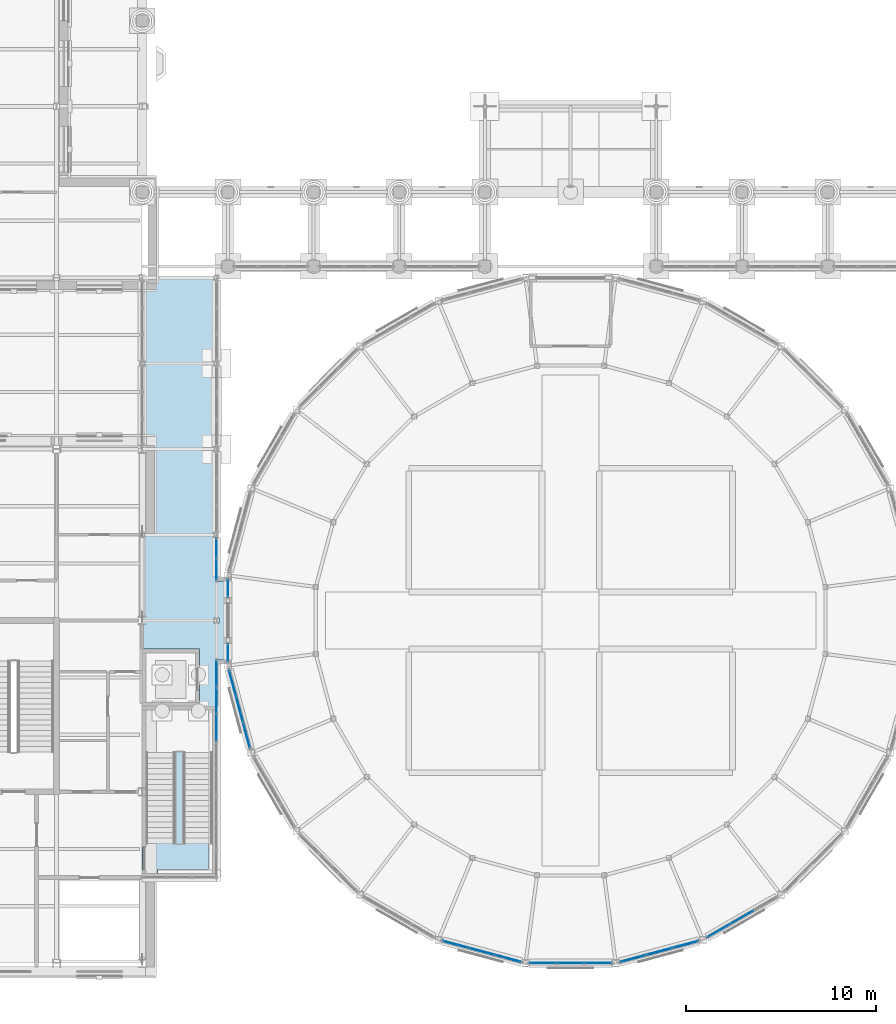
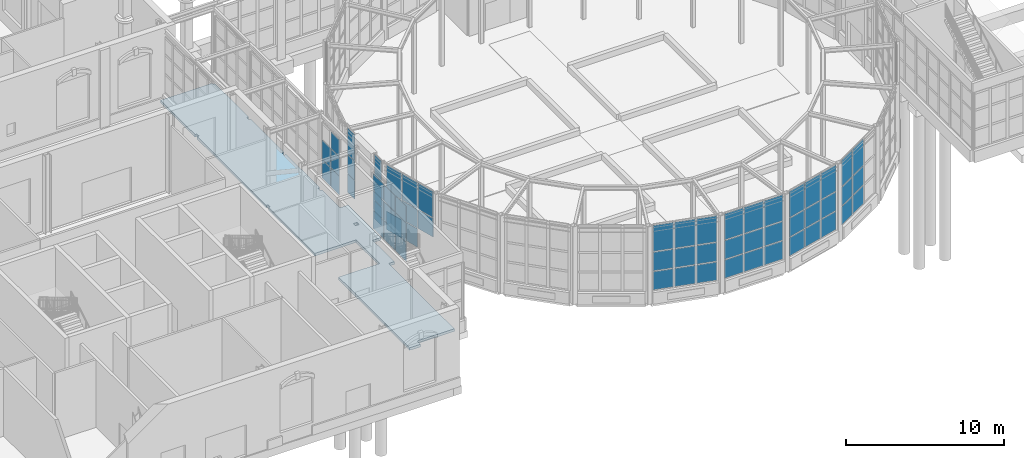
# One storey, part 57 of 106: 61 plates, 1 slab, 9 elements without a shape of their own.
"""IFC4 building model written with IfcOpenShell, lengths in metres."""

from ifc_helpers import new_model, si_unit, direction, frame, origin, origin_2d, place, context, subcontext, project, spatial, polyline, rectangle, outline, extrude, material, layer, layer_set, type_object, element, aggregate, save


model = new_model("IFC4")

# Units and contexts
model_context = context("Model", 3, precision=1e-05, world=origin(), true_north=direction((0.0, 1.0)))
body_context = subcontext(model_context, "Body", "Model", "MODEL_VIEW")
ifc_project = project(units=[si_unit("LENGTHUNIT", "METRE"), si_unit("AREAUNIT", "SQUARE_METRE"), si_unit("VOLUMEUNIT", "CUBIC_METRE"), si_unit("PLANEANGLEUNIT", "RADIAN"), si_unit("MASSUNIT", "GRAM", prefix="KILO")], contexts=[model_context])

# Site, building, storey
site_placement = place(None, origin())
site = spatial("IfcSite", under=ifc_project, at=site_placement, CompositionType="ELEMENT")
building_placement = place(site_placement, origin())
building = spatial("IfcBuilding", under=site, at=building_placement, Name="Hortulan Conservatory and Botanical Research Centre", CompositionType="ELEMENT")
storey_placement = place(building_placement, origin())
storey = spatial("IfcBuildingStorey", under=building, at=storey_placement, Name="L00", CompositionType="ELEMENT", Elevation=0.0)

# Slab
ifc_material_1 = material(Name="Concrete N40 (40 MPa, AS 3600)", Category="concrete")
ifc_layer_1 = layer(ifc_material_1, 0.199951171875)
ifc_layer_set_1 = layer_set([ifc_layer_1], Name="Head Link Ground Slab 200")
slab_type = type_object("IfcSlabType", Name="Head Link Ground Slab 200", PredefinedType="BASESLAB", material=ifc_layer_set_1)
slab_placement = place(storey_placement, frame((0.0, 0.0, -0.199951171875)))
element("IfcSlab", 1, at=slab_placement, inside=storey, type_object=slab_type, Name="HW ground slab 1", PredefinedType="BASESLAB", context=body_context, shape_type="SweptSolid", body=[
    extrude(outline(polyline([(35.39990234375, 13.2099609375), (35.0, 13.2099609375), (34.9990234375, 13.2099609375), (34.998046875, 13.209716796875), (34.9970703125, 13.209716796875), (34.99609375, 13.209228515625), (34.995361328125, 13.208740234375), (34.994384765625, 13.208251953125), (34.99365234375, 13.207763671875), (34.992919921875, 13.20703125), (34.9921875, 13.206298828125), (34.99169921875, 13.20556640625), (34.9912109375, 13.20458984375), (34.99072265625, 13.203857421875), (34.990478515625, 13.202880859375), (34.990234375, 13.201904296875), (34.989990234375, 13.200927734375), (34.989990234375, 13.199951171875), (34.989990234375, 4.909912109375), (32.300048828125, 4.909912109375), (32.299072265625, 4.909912109375), (32.298095703125, 4.909912109375), (32.297119140625, 4.90966796875), (32.296142578125, 4.9091796875), (32.29541015625, 4.90869140625), (32.29443359375, 4.908203125), (32.293701171875, 4.90771484375), (32.29296875, 4.906982421875), (32.292236328125, 4.90625), (32.291748046875, 4.905517578125), (32.291259765625, 4.90478515625), (32.290771484375, 4.90380859375), (32.290283203125, 4.90283203125), (32.290283203125, 4.902099609375), (32.2900390625, 4.90087890625), (32.2900390625, 4.89990234375), (32.2900390625, 4.5), (31.5, 4.5), (31.5, 13.5), (34.5, 13.5), (34.5, 16.5), (31.5, 16.5), (31.5, 22.364990234375), (31.635009765625, 22.364990234375), (31.635009765625, 22.635009765625), (31.5, 22.635009765625), (31.5, 31.364990234375), (31.635009765625, 31.364990234375), (31.635009765625, 31.635009765625), (31.5, 31.635009765625), (31.5, 36.0), (35.264892578125, 36.0), (35.264892578125, 35.864990234375), (35.39990234375, 35.864990234375), (35.39990234375, 31.635009765625), (35.264892578125, 31.635009765625), (35.264892578125, 31.364990234375), (35.39990234375, 31.364990234375), (35.39990234375, 27.135009765625), (35.264892578125, 27.135009765625), (35.264892578125, 26.864990234375), (35.39990234375, 26.864990234375), (35.39990234375, 22.635009765625), (35.264892578125, 22.635009765625), (35.264892578125, 22.364990234375), (35.39990234375, 22.364990234375), (35.39990234375, 20.069580078125), (36.0, 20.069580078125), (36.0, 15.930419921875), (35.39990234375, 15.930419921875), (35.39990234375, 13.2099609375)]), holes=[polyline([(35.264892578125, 17.864990234375), (35.534912109375, 17.864990234375), (35.534912109375, 18.135009765625), (35.264892578125, 18.135009765625), (35.264892578125, 17.864990234375)])]), origin(), (0.0, 0.0, 1.0), 0.199951171875),
])

# Curtain wall, plates
ifc_material_2 = material(Name="Bronze-finished aluminium", Category="aluminium")
ifc_layer_2 = layer(ifc_material_2, 0.10009765625)
ifc_layer_set_2 = layer_set([ifc_layer_2], Name="Bronze-framed Curtain Wall 1500 module")
curtain_wall_type = type_object("IfcCurtainWallType", Name="Bronze-framed Curtain Wall 1500 module", PredefinedType="NOTDEFINED", material=ifc_layer_set_2)
curtain_wall_1_placement = place(storey_placement, origin())
curtain_wall_1 = element("IfcCurtainWall", 2, at=curtain_wall_1_placement, inside=storey, type_object=curtain_wall_type, Name="Curtain wall", PredefinedType="NOTDEFINED")
ifc_material_3 = material(Name="Low-e laminated glass", Category="glass")
ifc_layer_3 = layer(ifc_material_3, 0.028076171875)
ifc_layer_set_3 = layer_set([ifc_layer_3], Name="Laminated Glass Panel 28")
plate_type = type_object("IfcPlateType", Name="Laminated Glass Panel 28", PredefinedType="CURTAIN_PANEL", material=ifc_layer_set_3)
plate_1_placement = place(storey_placement, frame((36.0, 16.302490234375, 0.9599609375), z_axis=(0.0, 0.0, 1.0), x_axis=(0.0, 1.0, 0.0)))
plate_1 = element("IfcPlate", 3, at=plate_1_placement, type_object=plate_type, Name="CW1 panel 1.1", PredefinedType="CURTAIN_PANEL", context=body_context, shape_type="SweptSolid", body=[
    extrude(rectangle(XDim=0.875, YDim=0.028076171875, at=origin_2d()), origin(), (0.0, 0.0, 1.0), 1.409912109375),
])
plate_2_placement = place(storey_placement, frame((36.0, 16.302490234375, 2.429931640625), z_axis=(0.0, 0.0, 1.0), x_axis=(0.0, 1.0, 0.0)))
plate_2 = element("IfcPlate", 4, at=plate_2_placement, type_object=plate_type, Name="CW1 panel 1.2", PredefinedType="CURTAIN_PANEL", context=body_context, shape_type="SweptSolid", body=[
    extrude(rectangle(XDim=0.875, YDim=0.028076171875, at=origin_2d()), origin(), (0.0, 0.0, 1.0), 1.43994140625),
])
plate_3_placement = place(storey_placement, frame((36.0, 16.302490234375, 3.93017578125), z_axis=(0.0, 0.0, 1.0), x_axis=(0.0, 1.0, 0.0)))
plate_3 = element("IfcPlate", 5, at=plate_3_placement, type_object=plate_type, Name="CW1 panel 1.3", PredefinedType="CURTAIN_PANEL", context=body_context, shape_type="SweptSolid", body=[
    extrude(rectangle(XDim=0.875, YDim=0.028076171875, at=origin_2d()), origin(), (0.0, 0.0, 1.0), 2.010009765625),
])
aggregate(curtain_wall_1, [plate_1, plate_2, plate_3])

curtain_wall_2_placement = place(storey_placement, origin())
curtain_wall_2 = element("IfcCurtainWall", 6, at=curtain_wall_2_placement, inside=storey, type_object=curtain_wall_type, Name="Curtain wall", PredefinedType="NOTDEFINED")
plate_4_placement = place(storey_placement, frame((36.0, 19.697509765625, 0.9599609375), z_axis=(0.0, 0.0, 1.0), x_axis=(0.0, 1.0, 0.0)))
plate_4 = element("IfcPlate", 7, at=plate_4_placement, type_object=plate_type, Name="CW1 panel 1.1", PredefinedType="CURTAIN_PANEL", context=body_context, shape_type="SweptSolid", body=[
    extrude(rectangle(XDim=0.875, YDim=0.028076171875, at=origin_2d()), origin(), (0.0, 0.0, 1.0), 1.409912109375),
])
plate_5_placement = place(storey_placement, frame((36.0, 19.697509765625, 2.429931640625), z_axis=(0.0, 0.0, 1.0), x_axis=(0.0, 1.0, 0.0)))
plate_5 = element("IfcPlate", 8, at=plate_5_placement, type_object=plate_type, Name="CW1 panel 1.2", PredefinedType="CURTAIN_PANEL", context=body_context, shape_type="SweptSolid", body=[
    extrude(rectangle(XDim=0.875, YDim=0.028076171875, at=origin_2d()), origin(), (0.0, 0.0, 1.0), 1.43994140625),
])
plate_6_placement = place(storey_placement, frame((36.0, 19.697509765625, 3.93017578125), z_axis=(0.0, 0.0, 1.0), x_axis=(0.0, 1.0, 0.0)))
plate_6 = element("IfcPlate", 9, at=plate_6_placement, type_object=plate_type, Name="CW1 panel 1.3", PredefinedType="CURTAIN_PANEL", context=body_context, shape_type="SweptSolid", body=[
    extrude(rectangle(XDim=0.875, YDim=0.028076171875, at=origin_2d()), origin(), (0.0, 0.0, 1.0), 2.010009765625),
])
aggregate(curtain_wall_2, [plate_4, plate_5, plate_6])

curtain_wall_3_placement = place(storey_placement, origin())
curtain_wall_3 = element("IfcCurtainWall", 10, at=curtain_wall_3_placement, inside=storey, type_object=curtain_wall_type, Name="Curtain wall", PredefinedType="NOTDEFINED")
plate_7_placement = place(storey_placement, frame((36.9814453125, 11.967529296875, 2.429931640625), z_axis=(0.0, 0.0, 1.0), x_axis=(-0.258831936284, 0.965922372015, 0.0)))
plate_7 = element("IfcPlate", 11, at=plate_7_placement, type_object=plate_type, Name="CW1 panel 1.2", PredefinedType="CURTAIN_PANEL", context=body_context, shape_type="SweptSolid", body=[
    extrude(rectangle(XDim=1.346923828125, YDim=0.028076171875, at=origin_2d()), origin(), (0.0, 0.0, 1.0), 1.43994140625),
])
plate_8_placement = place(storey_placement, frame((36.9814453125, 11.967529296875, 3.93017578125), z_axis=(0.0, 0.0, 1.0), x_axis=(-0.258831936284, 0.965922372015, 0.0)))
plate_8 = element("IfcPlate", 12, at=plate_8_placement, type_object=plate_type, Name="CW1 panel 1.3", PredefinedType="CURTAIN_PANEL", context=body_context, shape_type="SweptSolid", body=[
    extrude(rectangle(XDim=1.346923828125, YDim=0.028076171875, at=origin_2d()), origin(), (0.0, 0.0, 1.0), 2.010009765625),
])
plate_9_placement = place(storey_placement, frame((36.61328125, 13.341064453125, 0.9599609375), z_axis=(0.0, 0.0, 1.0), x_axis=(-0.258831936284, 0.965922372015, 0.0)))
plate_9 = element("IfcPlate", 13, at=plate_9_placement, type_object=plate_type, Name="CW1 panel 2.1", PredefinedType="CURTAIN_PANEL", context=body_context, shape_type="SweptSolid", body=[
    extrude(rectangle(XDim=1.376953125, YDim=0.028076171875, at=origin_2d()), origin(), (0.0, 0.0, 1.0), 1.409912109375),
])
plate_10_placement = place(storey_placement, frame((36.61328125, 13.341064453125, 2.429931640625), z_axis=(0.0, 0.0, 1.0), x_axis=(-0.258831936284, 0.965922372015, 0.0)))
plate_10 = element("IfcPlate", 14, at=plate_10_placement, type_object=plate_type, Name="CW1 panel 2.2", PredefinedType="CURTAIN_PANEL", context=body_context, shape_type="SweptSolid", body=[
    extrude(rectangle(XDim=1.376953125, YDim=0.028076171875, at=origin_2d()), origin(), (0.0, 0.0, 1.0), 1.43994140625),
])
plate_11_placement = place(storey_placement, frame((36.61328125, 13.341064453125, 3.93017578125), z_axis=(0.0, 0.0, 1.0), x_axis=(-0.258831936284, 0.965922372015, 0.0)))
plate_11 = element("IfcPlate", 15, at=plate_11_placement, type_object=plate_type, Name="CW1 panel 2.3", PredefinedType="CURTAIN_PANEL", context=body_context, shape_type="SweptSolid", body=[
    extrude(rectangle(XDim=1.376953125, YDim=0.028076171875, at=origin_2d()), origin(), (0.0, 0.0, 1.0), 2.010009765625),
])
plate_12_placement = place(storey_placement, frame((36.245361328125, 14.714599609375, 0.9599609375), z_axis=(0.0, 0.0, 1.0), x_axis=(-0.258831936284, 0.965922372015, 0.0)))
plate_12 = element("IfcPlate", 16, at=plate_12_placement, type_object=plate_type, Name="CW1 panel 3.1", PredefinedType="CURTAIN_PANEL", context=body_context, shape_type="SweptSolid", body=[
    extrude(rectangle(XDim=1.346923828125, YDim=0.028076171875, at=origin_2d()), origin(), (0.0, 0.0, 1.0), 1.409912109375),
])
plate_13_placement = place(storey_placement, frame((36.245361328125, 14.714599609375, 2.429931640625), z_axis=(0.0, 0.0, 1.0), x_axis=(-0.258831936284, 0.965922372015, 0.0)))
plate_13 = element("IfcPlate", 17, at=plate_13_placement, type_object=plate_type, Name="CW1 panel 3.2", PredefinedType="CURTAIN_PANEL", context=body_context, shape_type="SweptSolid", body=[
    extrude(rectangle(XDim=1.346923828125, YDim=0.028076171875, at=origin_2d()), origin(), (0.0, 0.0, 1.0), 1.43994140625),
])
plate_14_placement = place(storey_placement, frame((36.245361328125, 14.714599609375, 3.93017578125), z_axis=(0.0, 0.0, 1.0), x_axis=(-0.258831936284, 0.965922372015, 0.0)))
plate_14 = element("IfcPlate", 18, at=plate_14_placement, type_object=plate_type, Name="CW1 panel 3.3", PredefinedType="CURTAIN_PANEL", context=body_context, shape_type="SweptSolid", body=[
    extrude(rectangle(XDim=1.346923828125, YDim=0.028076171875, at=origin_2d()), origin(), (0.0, 0.0, 1.0), 2.010009765625),
])
aggregate(curtain_wall_3, [plate_7, plate_8, plate_9, plate_10, plate_11, plate_12, plate_13, plate_14])

curtain_wall_4_placement = place(storey_placement, origin())
curtain_wall_4 = element("IfcCurtainWall", 19, at=curtain_wall_4_placement, inside=storey, type_object=curtain_wall_type, Name="Curtain wall", PredefinedType="NOTDEFINED")
plate_15_placement = place(storey_placement, frame((50.714599609375, 0.245361328125, 0.9599609375), z_axis=(0.0, 0.0, 1.0), x_axis=(-0.965922372015, 0.258831936284, 0.0)))
plate_15 = element("IfcPlate", 20, at=plate_15_placement, type_object=plate_type, Name="CW1 panel 1.1", PredefinedType="CURTAIN_PANEL", context=body_context, shape_type="SweptSolid", body=[
    extrude(rectangle(XDim=1.346923828125, YDim=0.028076171875, at=origin_2d()), origin(), (0.0, 0.0, 1.0), 1.409912109375),
])
plate_16_placement = place(storey_placement, frame((50.714599609375, 0.245361328125, 2.429931640625), z_axis=(0.0, 0.0, 1.0), x_axis=(-0.965922372015, 0.258831936284, 0.0)))
plate_16 = element("IfcPlate", 21, at=plate_16_placement, type_object=plate_type, Name="CW1 panel 1.2", PredefinedType="CURTAIN_PANEL", context=body_context, shape_type="SweptSolid", body=[
    extrude(rectangle(XDim=1.346923828125, YDim=0.028076171875, at=origin_2d()), origin(), (0.0, 0.0, 1.0), 1.43994140625),
])
plate_17_placement = place(storey_placement, frame((50.714599609375, 0.245361328125, 3.93017578125), z_axis=(0.0, 0.0, 1.0), x_axis=(-0.965922372015, 0.258831936284, 0.0)))
plate_17 = element("IfcPlate", 22, at=plate_17_placement, type_object=plate_type, Name="CW1 panel 1.3", PredefinedType="CURTAIN_PANEL", context=body_context, shape_type="SweptSolid", body=[
    extrude(rectangle(XDim=1.346923828125, YDim=0.028076171875, at=origin_2d()), origin(), (0.0, 0.0, 1.0), 2.010009765625),
])
plate_18_placement = place(storey_placement, frame((49.341064453125, 0.61328125, 0.9599609375), z_axis=(0.0, 0.0, 1.0), x_axis=(-0.965922372015, 0.258831936284, 0.0)))
plate_18 = element("IfcPlate", 23, at=plate_18_placement, type_object=plate_type, Name="CW1 panel 2.1", PredefinedType="CURTAIN_PANEL", context=body_context, shape_type="SweptSolid", body=[
    extrude(rectangle(XDim=1.376953125, YDim=0.028076171875, at=origin_2d()), origin(), (0.0, 0.0, 1.0), 1.409912109375),
])
plate_19_placement = place(storey_placement, frame((49.341064453125, 0.61328125, 2.429931640625), z_axis=(0.0, 0.0, 1.0), x_axis=(-0.965922372015, 0.258831936284, 0.0)))
plate_19 = element("IfcPlate", 24, at=plate_19_placement, type_object=plate_type, Name="CW1 panel 2.2", PredefinedType="CURTAIN_PANEL", context=body_context, shape_type="SweptSolid", body=[
    extrude(rectangle(XDim=1.376953125, YDim=0.028076171875, at=origin_2d()), origin(), (0.0, 0.0, 1.0), 1.43994140625),
])
plate_20_placement = place(storey_placement, frame((49.341064453125, 0.61328125, 3.93017578125), z_axis=(0.0, 0.0, 1.0), x_axis=(-0.965922372015, 0.258831936284, 0.0)))
plate_20 = element("IfcPlate", 25, at=plate_20_placement, type_object=plate_type, Name="CW1 panel 2.3", PredefinedType="CURTAIN_PANEL", context=body_context, shape_type="SweptSolid", body=[
    extrude(rectangle(XDim=1.376953125, YDim=0.028076171875, at=origin_2d()), origin(), (0.0, 0.0, 1.0), 2.010009765625),
])
plate_21_placement = place(storey_placement, frame((47.967529296875, 0.9814453125, 0.9599609375), z_axis=(0.0, 0.0, 1.0), x_axis=(-0.965922372015, 0.258831936284, 0.0)))
plate_21 = element("IfcPlate", 26, at=plate_21_placement, type_object=plate_type, Name="CW1 panel 3.1", PredefinedType="CURTAIN_PANEL", context=body_context, shape_type="SweptSolid", body=[
    extrude(rectangle(XDim=1.346923828125, YDim=0.028076171875, at=origin_2d()), origin(), (0.0, 0.0, 1.0), 1.409912109375),
])
plate_22_placement = place(storey_placement, frame((47.967529296875, 0.9814453125, 2.429931640625), z_axis=(0.0, 0.0, 1.0), x_axis=(-0.965922372015, 0.258831936284, 0.0)))
plate_22 = element("IfcPlate", 27, at=plate_22_placement, type_object=plate_type, Name="CW1 panel 3.2", PredefinedType="CURTAIN_PANEL", context=body_context, shape_type="SweptSolid", body=[
    extrude(rectangle(XDim=1.346923828125, YDim=0.028076171875, at=origin_2d()), origin(), (0.0, 0.0, 1.0), 1.43994140625),
])
plate_23_placement = place(storey_placement, frame((47.967529296875, 0.9814453125, 3.93017578125), z_axis=(0.0, 0.0, 1.0), x_axis=(-0.965922372015, 0.258831936284, 0.0)))
plate_23 = element("IfcPlate", 28, at=plate_23_placement, type_object=plate_type, Name="CW1 panel 3.3", PredefinedType="CURTAIN_PANEL", context=body_context, shape_type="SweptSolid", body=[
    extrude(rectangle(XDim=1.346923828125, YDim=0.028076171875, at=origin_2d()), origin(), (0.0, 0.0, 1.0), 2.010009765625),
])
aggregate(curtain_wall_4, [plate_15, plate_16, plate_17, plate_18, plate_19, plate_20, plate_21, plate_22, plate_23])

curtain_wall_5_placement = place(storey_placement, origin())
curtain_wall_5 = element("IfcCurtainWall", 29, at=curtain_wall_5_placement, inside=storey, type_object=curtain_wall_type, Name="Curtain wall", PredefinedType="NOTDEFINED")
plate_24_placement = place(storey_placement, frame((55.4482421875, 0.0, 0.9599609375), z_axis=(0.0, 0.0, 1.0), x_axis=(-1.0, 0.0, 0.0)))
plate_24 = element("IfcPlate", 30, at=plate_24_placement, type_object=plate_type, Name="CW1 panel 1.1", PredefinedType="CURTAIN_PANEL", context=body_context, shape_type="SweptSolid", body=[
    extrude(rectangle(XDim=1.373291015625, YDim=0.028076171875, at=origin_2d()), origin(), (0.0, 0.0, 1.0), 1.409912109375),
])
plate_25_placement = place(storey_placement, frame((55.4482421875, 0.0, 2.429931640625), z_axis=(0.0, 0.0, 1.0), x_axis=(-1.0, 0.0, 0.0)))
plate_25 = element("IfcPlate", 31, at=plate_25_placement, type_object=plate_type, Name="CW1 panel 1.2", PredefinedType="CURTAIN_PANEL", context=body_context, shape_type="SweptSolid", body=[
    extrude(rectangle(XDim=1.373291015625, YDim=0.028076171875, at=origin_2d()), origin(), (0.0, 0.0, 1.0), 1.43994140625),
])
plate_26_placement = place(storey_placement, frame((55.4482421875, 0.0, 3.93017578125), z_axis=(0.0, 0.0, 1.0), x_axis=(-1.0, 0.0, 0.0)))
plate_26 = element("IfcPlate", 32, at=plate_26_placement, type_object=plate_type, Name="CW1 panel 1.3", PredefinedType="CURTAIN_PANEL", context=body_context, shape_type="SweptSolid", body=[
    extrude(rectangle(XDim=1.373291015625, YDim=0.028076171875, at=origin_2d()), origin(), (0.0, 0.0, 1.0), 2.010009765625),
])
plate_27_placement = place(storey_placement, frame((54.0, 0.0, 0.9599609375), z_axis=(0.0, 0.0, 1.0), x_axis=(-1.0, 0.0, 0.0)))
plate_27 = element("IfcPlate", 33, at=plate_27_placement, type_object=plate_type, Name="CW1 panel 2.1", PredefinedType="CURTAIN_PANEL", context=body_context, shape_type="SweptSolid", body=[
    extrude(rectangle(XDim=1.4033203125, YDim=0.028076171875, at=origin_2d()), origin(), (0.0, 0.0, 1.0), 1.409912109375),
])
plate_28_placement = place(storey_placement, frame((54.0, 0.0, 2.429931640625), z_axis=(0.0, 0.0, 1.0), x_axis=(-1.0, 0.0, 0.0)))
plate_28 = element("IfcPlate", 34, at=plate_28_placement, type_object=plate_type, Name="CW1 panel 2.2", PredefinedType="CURTAIN_PANEL", context=body_context, shape_type="SweptSolid", body=[
    extrude(rectangle(XDim=1.4033203125, YDim=0.028076171875, at=origin_2d()), origin(), (0.0, 0.0, 1.0), 1.43994140625),
])
plate_29_placement = place(storey_placement, frame((54.0, 0.0, 3.93017578125), z_axis=(0.0, 0.0, 1.0), x_axis=(-1.0, 0.0, 0.0)))
plate_29 = element("IfcPlate", 35, at=plate_29_placement, type_object=plate_type, Name="CW1 panel 2.3", PredefinedType="CURTAIN_PANEL", context=body_context, shape_type="SweptSolid", body=[
    extrude(rectangle(XDim=1.4033203125, YDim=0.028076171875, at=origin_2d()), origin(), (0.0, 0.0, 1.0), 2.010009765625),
])
plate_30_placement = place(storey_placement, frame((52.5517578125, 0.0, 0.9599609375), z_axis=(0.0, 0.0, 1.0), x_axis=(-1.0, 0.0, 0.0)))
plate_30 = element("IfcPlate", 36, at=plate_30_placement, type_object=plate_type, Name="CW1 panel 3.1", PredefinedType="CURTAIN_PANEL", context=body_context, shape_type="SweptSolid", body=[
    extrude(rectangle(XDim=1.373291015625, YDim=0.028076171875, at=origin_2d()), origin(), (0.0, 0.0, 1.0), 1.409912109375),
])
plate_31_placement = place(storey_placement, frame((52.5517578125, 0.0, 2.429931640625), z_axis=(0.0, 0.0, 1.0), x_axis=(-1.0, 0.0, 0.0)))
plate_31 = element("IfcPlate", 37, at=plate_31_placement, type_object=plate_type, Name="CW1 panel 3.2", PredefinedType="CURTAIN_PANEL", context=body_context, shape_type="SweptSolid", body=[
    extrude(rectangle(XDim=1.373291015625, YDim=0.028076171875, at=origin_2d()), origin(), (0.0, 0.0, 1.0), 1.43994140625),
])
plate_32_placement = place(storey_placement, frame((52.5517578125, 0.0, 3.93017578125), z_axis=(0.0, 0.0, 1.0), x_axis=(-1.0, 0.0, 0.0)))
plate_32 = element("IfcPlate", 38, at=plate_32_placement, type_object=plate_type, Name="CW1 panel 3.3", PredefinedType="CURTAIN_PANEL", context=body_context, shape_type="SweptSolid", body=[
    extrude(rectangle(XDim=1.373291015625, YDim=0.028076171875, at=origin_2d()), origin(), (0.0, 0.0, 1.0), 2.010009765625),
])
aggregate(curtain_wall_5, [plate_24, plate_25, plate_26, plate_27, plate_28, plate_29, plate_30, plate_31, plate_32])

curtain_wall_6_placement = place(storey_placement, origin())
curtain_wall_6 = element("IfcCurtainWall", 39, at=curtain_wall_6_placement, inside=storey, type_object=curtain_wall_type, Name="Curtain wall", PredefinedType="NOTDEFINED")
plate_33_placement = place(storey_placement, frame((60.032470703125, 0.9814453125, 0.9599609375), z_axis=(0.0, 0.0, 1.0), x_axis=(-0.965922372015, -0.258831936284, 0.0)))
plate_33 = element("IfcPlate", 40, at=plate_33_placement, type_object=plate_type, Name="CW1 panel 1.1", PredefinedType="CURTAIN_PANEL", context=body_context, shape_type="SweptSolid", body=[
    extrude(rectangle(XDim=1.346923828125, YDim=0.028076171875, at=origin_2d()), origin(), (0.0, 0.0, 1.0), 1.409912109375),
])
plate_34_placement = place(storey_placement, frame((60.032470703125, 0.9814453125, 2.429931640625), z_axis=(0.0, 0.0, 1.0), x_axis=(-0.965922372015, -0.258831936284, 0.0)))
plate_34 = element("IfcPlate", 41, at=plate_34_placement, type_object=plate_type, Name="CW1 panel 1.2", PredefinedType="CURTAIN_PANEL", context=body_context, shape_type="SweptSolid", body=[
    extrude(rectangle(XDim=1.346923828125, YDim=0.028076171875, at=origin_2d()), origin(), (0.0, 0.0, 1.0), 1.43994140625),
])
plate_35_placement = place(storey_placement, frame((60.032470703125, 0.9814453125, 3.93017578125), z_axis=(0.0, 0.0, 1.0), x_axis=(-0.965922372015, -0.258831936284, 0.0)))
plate_35 = element("IfcPlate", 42, at=plate_35_placement, type_object=plate_type, Name="CW1 panel 1.3", PredefinedType="CURTAIN_PANEL", context=body_context, shape_type="SweptSolid", body=[
    extrude(rectangle(XDim=1.346923828125, YDim=0.028076171875, at=origin_2d()), origin(), (0.0, 0.0, 1.0), 2.010009765625),
])
plate_36_placement = place(storey_placement, frame((58.658935546875, 0.61328125, 0.9599609375), z_axis=(0.0, 0.0, 1.0), x_axis=(-0.965922372015, -0.258831936284, 0.0)))
plate_36 = element("IfcPlate", 43, at=plate_36_placement, type_object=plate_type, Name="CW1 panel 2.1", PredefinedType="CURTAIN_PANEL", context=body_context, shape_type="SweptSolid", body=[
    extrude(rectangle(XDim=1.376953125, YDim=0.028076171875, at=origin_2d()), origin(), (0.0, 0.0, 1.0), 1.409912109375),
])
plate_37_placement = place(storey_placement, frame((58.658935546875, 0.61328125, 2.429931640625), z_axis=(0.0, 0.0, 1.0), x_axis=(-0.965922372015, -0.258831936284, 0.0)))
plate_37 = element("IfcPlate", 44, at=plate_37_placement, type_object=plate_type, Name="CW1 panel 2.2", PredefinedType="CURTAIN_PANEL", context=body_context, shape_type="SweptSolid", body=[
    extrude(rectangle(XDim=1.376953125, YDim=0.028076171875, at=origin_2d()), origin(), (0.0, 0.0, 1.0), 1.43994140625),
])
plate_38_placement = place(storey_placement, frame((58.658935546875, 0.61328125, 3.93017578125), z_axis=(0.0, 0.0, 1.0), x_axis=(-0.965922372015, -0.258831936284, 0.0)))
plate_38 = element("IfcPlate", 45, at=plate_38_placement, type_object=plate_type, Name="CW1 panel 2.3", PredefinedType="CURTAIN_PANEL", context=body_context, shape_type="SweptSolid", body=[
    extrude(rectangle(XDim=1.376953125, YDim=0.028076171875, at=origin_2d()), origin(), (0.0, 0.0, 1.0), 2.010009765625),
])
plate_39_placement = place(storey_placement, frame((57.285400390625, 0.245361328125, 0.9599609375), z_axis=(0.0, 0.0, 1.0), x_axis=(-0.965922372015, -0.258831936284, 0.0)))
plate_39 = element("IfcPlate", 46, at=plate_39_placement, type_object=plate_type, Name="CW1 panel 3.1", PredefinedType="CURTAIN_PANEL", context=body_context, shape_type="SweptSolid", body=[
    extrude(rectangle(XDim=1.346923828125, YDim=0.028076171875, at=origin_2d()), origin(), (0.0, 0.0, 1.0), 1.409912109375),
])
plate_40_placement = place(storey_placement, frame((57.285400390625, 0.245361328125, 2.429931640625), z_axis=(0.0, 0.0, 1.0), x_axis=(-0.965922372015, -0.258831936284, 0.0)))
plate_40 = element("IfcPlate", 47, at=plate_40_placement, type_object=plate_type, Name="CW1 panel 3.2", PredefinedType="CURTAIN_PANEL", context=body_context, shape_type="SweptSolid", body=[
    extrude(rectangle(XDim=1.346923828125, YDim=0.028076171875, at=origin_2d()), origin(), (0.0, 0.0, 1.0), 1.43994140625),
])
plate_41_placement = place(storey_placement, frame((57.285400390625, 0.245361328125, 3.93017578125), z_axis=(0.0, 0.0, 1.0), x_axis=(-0.965922372015, -0.258831936284, 0.0)))
plate_41 = element("IfcPlate", 48, at=plate_41_placement, type_object=plate_type, Name="CW1 panel 3.3", PredefinedType="CURTAIN_PANEL", context=body_context, shape_type="SweptSolid", body=[
    extrude(rectangle(XDim=1.346923828125, YDim=0.028076171875, at=origin_2d()), origin(), (0.0, 0.0, 1.0), 2.010009765625),
])
aggregate(curtain_wall_6, [plate_33, plate_34, plate_35, plate_36, plate_37, plate_38, plate_39, plate_40, plate_41])

curtain_wall_7_placement = place(storey_placement, origin())
curtain_wall_7 = element("IfcCurtainWall", 49, at=curtain_wall_7_placement, inside=storey, type_object=curtain_wall_type, Name="Curtain wall", PredefinedType="NOTDEFINED")
plate_42_placement = place(storey_placement, frame((63.0, 2.41162109375, 0.9599609375), z_axis=(0.0, 0.0, 1.0), x_axis=(-0.866036280655, -0.499981160235, 0.0)))
plate_42 = element("IfcPlate", 50, at=plate_42_placement, type_object=plate_type, Name="CW1 panel 2.1", PredefinedType="CURTAIN_PANEL", context=body_context, shape_type="SweptSolid", body=[
    extrude(rectangle(XDim=1.360107421875, YDim=0.028076171875, at=origin_2d()), origin(), (0.0, 0.0, 1.0), 1.409912109375),
])
plate_43_placement = place(storey_placement, frame((63.0, 2.41162109375, 2.429931640625), z_axis=(0.0, 0.0, 1.0), x_axis=(-0.866036280655, -0.499981160235, 0.0)))
plate_43 = element("IfcPlate", 51, at=plate_43_placement, type_object=plate_type, Name="CW1 panel 2.2", PredefinedType="CURTAIN_PANEL", context=body_context, shape_type="SweptSolid", body=[
    extrude(rectangle(XDim=1.360107421875, YDim=0.028076171875, at=origin_2d()), origin(), (0.0, 0.0, 1.0), 1.43994140625),
])
plate_44_placement = place(storey_placement, frame((63.0, 2.41162109375, 3.93017578125), z_axis=(0.0, 0.0, 1.0), x_axis=(-0.866036280655, -0.499981160235, 0.0)))
plate_44 = element("IfcPlate", 52, at=plate_44_placement, type_object=plate_type, Name="CW1 panel 2.3", PredefinedType="CURTAIN_PANEL", context=body_context, shape_type="SweptSolid", body=[
    extrude(rectangle(XDim=1.360107421875, YDim=0.028076171875, at=origin_2d()), origin(), (0.0, 0.0, 1.0), 2.010009765625),
])
plate_45_placement = place(storey_placement, frame((61.782958984375, 1.708984375, 0.9599609375), z_axis=(0.0, 0.0, 1.0), x_axis=(-0.866036280655, -0.499981160235, 0.0)))
plate_45 = element("IfcPlate", 53, at=plate_45_placement, type_object=plate_type, Name="CW1 panel 3.1", PredefinedType="CURTAIN_PANEL", context=body_context, shape_type="SweptSolid", body=[
    extrude(rectangle(XDim=1.330078125, YDim=0.028076171875, at=origin_2d()), origin(), (0.0, 0.0, 1.0), 1.409912109375),
])
plate_46_placement = place(storey_placement, frame((61.782958984375, 1.708984375, 2.429931640625), z_axis=(0.0, 0.0, 1.0), x_axis=(-0.866036280655, -0.499981160235, 0.0)))
plate_46 = element("IfcPlate", 54, at=plate_46_placement, type_object=plate_type, Name="CW1 panel 3.2", PredefinedType="CURTAIN_PANEL", context=body_context, shape_type="SweptSolid", body=[
    extrude(rectangle(XDim=1.330078125, YDim=0.028076171875, at=origin_2d()), origin(), (0.0, 0.0, 1.0), 1.43994140625),
])
plate_47_placement = place(storey_placement, frame((61.782958984375, 1.708984375, 3.93017578125), z_axis=(0.0, 0.0, 1.0), x_axis=(-0.866036280655, -0.499981160235, 0.0)))
plate_47 = element("IfcPlate", 55, at=plate_47_placement, type_object=plate_type, Name="CW1 panel 3.3", PredefinedType="CURTAIN_PANEL", context=body_context, shape_type="SweptSolid", body=[
    extrude(rectangle(XDim=1.330078125, YDim=0.028076171875, at=origin_2d()), origin(), (0.0, 0.0, 1.0), 2.010009765625),
])
aggregate(curtain_wall_7, [plate_42, plate_43, plate_44, plate_45, plate_46, plate_47])

curtain_wall_8_placement = place(storey_placement, origin())
curtain_wall_8 = element("IfcCurtainWall", 56, at=curtain_wall_8_placement, inside=storey, type_object=curtain_wall_type, Name="Curtain wall", PredefinedType="NOTDEFINED")
plate_48_placement = place(storey_placement, frame((35.39990234375, 21.78369140625, 0.9599609375), z_axis=(0.0, 0.0, 1.0), x_axis=(0.0, -1.0, 0.0)))
plate_48 = element("IfcPlate", 57, at=plate_48_placement, type_object=plate_type, Name="CW1 panel 1.1", PredefinedType="CURTAIN_PANEL", context=body_context, shape_type="SweptSolid", body=[
    extrude(rectangle(XDim=1.062744140625, YDim=0.028076171875, at=origin_2d()), origin(), (0.0, 0.0, 1.0), 1.409912109375),
])
plate_49_placement = place(storey_placement, frame((35.39990234375, 21.78369140625, 2.429931640625), z_axis=(0.0, 0.0, 1.0), x_axis=(0.0, -1.0, 0.0)))
plate_49 = element("IfcPlate", 58, at=plate_49_placement, type_object=plate_type, Name="CW1 panel 1.2", PredefinedType="CURTAIN_PANEL", context=body_context, shape_type="SweptSolid", body=[
    extrude(rectangle(XDim=1.062744140625, YDim=0.028076171875, at=origin_2d()), origin(), (0.0, 0.0, 1.0), 1.43994140625),
])
plate_50_placement = place(storey_placement, frame((35.39990234375, 20.6611328125, 0.9599609375), z_axis=(0.0, 0.0, 1.0), x_axis=(0.0, -1.0, 0.0)))
plate_50 = element("IfcPlate", 59, at=plate_50_placement, type_object=plate_type, Name="CW1 panel 2.1", PredefinedType="CURTAIN_PANEL", context=body_context, shape_type="SweptSolid", body=[
    extrude(rectangle(XDim=1.062744140625, YDim=0.028076171875, at=origin_2d()), origin(), (0.0, 0.0, 1.0), 1.409912109375),
])
plate_51_placement = place(storey_placement, frame((35.39990234375, 20.6611328125, 2.429931640625), z_axis=(0.0, 0.0, 1.0), x_axis=(0.0, -1.0, 0.0)))
plate_51 = element("IfcPlate", 60, at=plate_51_placement, type_object=plate_type, Name="CW1 panel 2.2", PredefinedType="CURTAIN_PANEL", context=body_context, shape_type="SweptSolid", body=[
    extrude(rectangle(XDim=1.062744140625, YDim=0.028076171875, at=origin_2d()), origin(), (0.0, 0.0, 1.0), 1.43994140625),
])
plate_52_placement = place(storey_placement, frame((35.39990234375, 20.6611328125, 3.929931640625), z_axis=(0.0, 0.0, 1.0), x_axis=(0.0, -1.0, 0.0)))
plate_52 = element("IfcPlate", 61, at=plate_52_placement, type_object=plate_type, Name="CW1 panel 2.3", PredefinedType="CURTAIN_PANEL", context=body_context, shape_type="SweptSolid", body=[
    extrude(rectangle(XDim=1.062744140625, YDim=0.028076171875, at=origin_2d()), origin(), (0.0, 0.0, 1.0), 1.25),
])
aggregate(curtain_wall_8, [plate_48, plate_49, plate_50, plate_51, plate_52])

curtain_wall_9_placement = place(storey_placement, origin())
curtain_wall_9 = element("IfcCurtainWall", 62, at=curtain_wall_9_placement, inside=storey, type_object=curtain_wall_type, Name="Curtain wall", PredefinedType="NOTDEFINED")
plate_53_placement = place(storey_placement, frame((35.39990234375, 15.200927734375, 0.9599609375), z_axis=(0.0, 0.0, 1.0), x_axis=(0.0, -1.0, 0.0)))
plate_53 = element("IfcPlate", 63, at=plate_53_placement, type_object=plate_type, Name="CW1 panel 1.1", PredefinedType="CURTAIN_PANEL", context=body_context, shape_type="SweptSolid", body=[
    extrude(rectangle(XDim=1.3388671875, YDim=0.028076171875, at=origin_2d()), origin(), (0.0, 0.0, 1.0), 1.409912109375),
])
plate_54_placement = place(storey_placement, frame((35.39990234375, 15.200927734375, 2.429931640625), z_axis=(0.0, 0.0, 1.0), x_axis=(0.0, -1.0, 0.0)))
plate_54 = element("IfcPlate", 64, at=plate_54_placement, type_object=plate_type, Name="CW1 panel 1.2", PredefinedType="CURTAIN_PANEL", context=body_context, shape_type="SweptSolid", body=[
    extrude(rectangle(XDim=1.3388671875, YDim=0.028076171875, at=origin_2d()), origin(), (0.0, 0.0, 1.0), 1.43994140625),
])
plate_55_placement = place(storey_placement, frame((35.39990234375, 15.200927734375, 3.929931640625), z_axis=(0.0, 0.0, 1.0), x_axis=(0.0, -1.0, 0.0)))
plate_55 = element("IfcPlate", 65, at=plate_55_placement, type_object=plate_type, Name="CW1 panel 1.3", PredefinedType="CURTAIN_PANEL", context=body_context, shape_type="SweptSolid", body=[
    extrude(rectangle(XDim=1.3388671875, YDim=0.028076171875, at=origin_2d()), origin(), (0.0, 0.0, 1.0), 1.25),
])
plate_56_placement = place(storey_placement, frame((35.39990234375, 13.787109375, 0.9599609375), z_axis=(0.0, 0.0, 1.0), x_axis=(0.0, -1.0, 0.0)))
plate_56 = element("IfcPlate", 66, at=plate_56_placement, type_object=plate_type, Name="CW1 panel 2.1", PredefinedType="CURTAIN_PANEL", context=body_context, shape_type="SweptSolid", body=[
    extrude(rectangle(XDim=1.368896484375, YDim=0.028076171875, at=origin_2d()), origin(), (0.0, 0.0, 1.0), 1.409912109375),
])
plate_57_placement = place(storey_placement, frame((35.39990234375, 13.787109375, 2.429931640625), z_axis=(0.0, 0.0, 1.0), x_axis=(0.0, -1.0, 0.0)))
plate_57 = element("IfcPlate", 67, at=plate_57_placement, type_object=plate_type, Name="CW1 panel 2.2", PredefinedType="CURTAIN_PANEL", context=body_context, shape_type="SweptSolid", body=[
    extrude(rectangle(XDim=1.368896484375, YDim=0.028076171875, at=origin_2d()), origin(), (0.0, 0.0, 1.0), 1.43994140625),
])
plate_58_placement = place(storey_placement, frame((35.39990234375, 13.787109375, 3.929931640625), z_axis=(0.0, 0.0, 1.0), x_axis=(0.0, -1.0, 0.0)))
plate_58 = element("IfcPlate", 68, at=plate_58_placement, type_object=plate_type, Name="CW1 panel 2.3", PredefinedType="CURTAIN_PANEL", context=body_context, shape_type="SweptSolid", body=[
    extrude(rectangle(XDim=1.368896484375, YDim=0.028076171875, at=origin_2d()), origin(), (0.0, 0.0, 1.0), 1.25),
])
plate_59_placement = place(storey_placement, frame((35.39990234375, 12.3583984375, 0.9599609375), z_axis=(0.0, 0.0, 1.0), x_axis=(0.0, -1.0, 0.0)))
plate_59 = element("IfcPlate", 69, at=plate_59_placement, type_object=plate_type, Name="CW1 panel 3.1", PredefinedType="CURTAIN_PANEL", context=body_context, shape_type="SweptSolid", body=[
    extrude(rectangle(XDim=1.368896484375, YDim=0.028076171875, at=origin_2d()), origin(), (0.0, 0.0, 1.0), 1.409912109375),
])
plate_60_placement = place(storey_placement, frame((35.39990234375, 12.3583984375, 2.429931640625), z_axis=(0.0, 0.0, 1.0), x_axis=(0.0, -1.0, 0.0)))
plate_60 = element("IfcPlate", 70, at=plate_60_placement, type_object=plate_type, Name="CW1 panel 3.2", PredefinedType="CURTAIN_PANEL", context=body_context, shape_type="SweptSolid", body=[
    extrude(rectangle(XDim=1.368896484375, YDim=0.028076171875, at=origin_2d()), origin(), (0.0, 0.0, 1.0), 1.43994140625),
])
plate_61_placement = place(storey_placement, frame((35.39990234375, 12.3583984375, 3.929931640625), z_axis=(0.0, 0.0, 1.0), x_axis=(0.0, -1.0, 0.0)))
plate_61 = element("IfcPlate", 71, at=plate_61_placement, type_object=plate_type, Name="CW1 panel 3.3", PredefinedType="CURTAIN_PANEL", context=body_context, shape_type="SweptSolid", body=[
    extrude(rectangle(XDim=1.368896484375, YDim=0.028076171875, at=origin_2d()), origin(), (0.0, 0.0, 1.0), 1.25),
])
aggregate(curtain_wall_9, [plate_53, plate_54, plate_55, plate_56, plate_57, plate_58, plate_59, plate_60, plate_61])

save(model, "model.ifc")
